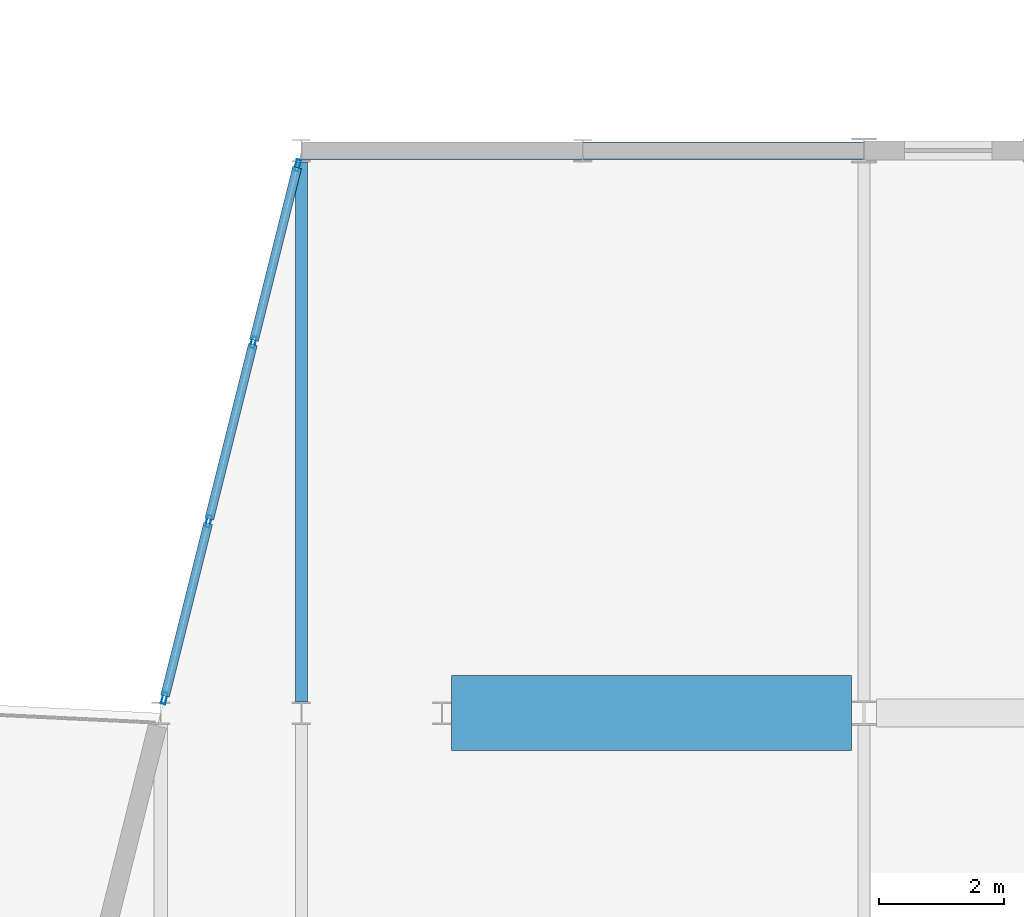
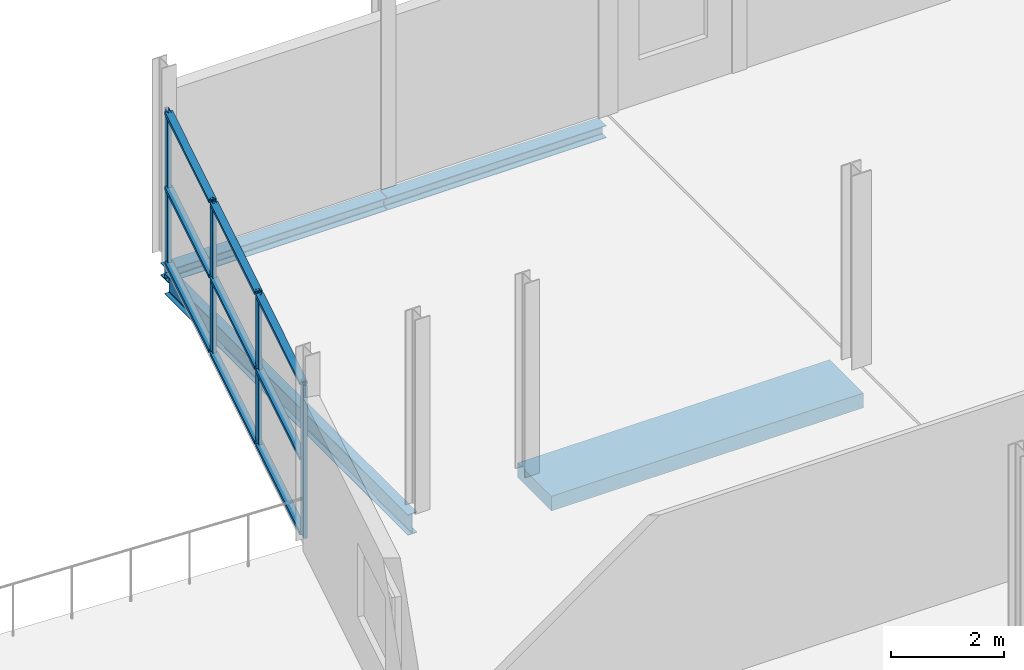
# One storey, part 97 of 135: 13 members, 4 beams, 1 element without a shape of its own.
"""IFC4 building model written with IfcOpenShell, lengths in metres."""

from ifc_helpers import new_model, si_unit, direction, frame, origin, origin_2d, place, context, subcontext, project, spatial, rectangle, hollow_rectangle, i_section, extrude, material, layer, layer_set, material_profile, profile_set, type_object, element, aggregate, save


model = new_model("IFC4")

# Units and contexts
model_context = context("Model", 3, precision=1e-05, world=origin(), true_north=direction((0.0, 1.0)))
body_context = subcontext(model_context, "Body", "Model", "MODEL_VIEW")
ifc_project = project(units=[si_unit("LENGTHUNIT", "METRE"), si_unit("AREAUNIT", "SQUARE_METRE"), si_unit("VOLUMEUNIT", "CUBIC_METRE"), si_unit("PLANEANGLEUNIT", "RADIAN"), si_unit("MASSUNIT", "GRAM", prefix="KILO")], contexts=[model_context])

# Site, building, storey
site_placement = place(None, origin())
site = spatial("IfcSite", under=ifc_project, at=site_placement, CompositionType="ELEMENT")
building_placement = place(site_placement, origin())
building = spatial("IfcBuilding", under=site, at=building_placement, Name="Deido Ridge Mobility Hub", CompositionType="ELEMENT")
storey_placement = place(building_placement, frame((0.0, 0.0, 4.199951171875)))
storey = spatial("IfcBuildingStorey", under=building, at=storey_placement, Name="L01", CompositionType="ELEMENT", Elevation=4.199951171875)

# Beams
ifc_material_1 = material(Name="Steel S355J2 EN 10025-2", Category="steel")
ifc_material_profile_1 = material_profile(ifc_material_1, i_section(OverallWidth=0.18994140625, OverallDepth=0.449951171875, WebThickness=0.009521484375, FlangeThickness=0.0146484375, FilletRadius=0.02099609375, at=origin_2d()), Name="IPE 450")
ifc_profile_set_1 = profile_set([ifc_material_profile_1], Name="Steel S355J2 EN 10025-2")
beam_type_1 = type_object("IfcBeamType", Name="BM-IPE450", PredefinedType="BEAM", material=ifc_profile_set_1)
beam_1_placement = place(storey_placement, frame((135.0, 63.179931640625, -0.474853515625), z_axis=(0.0, 1.0, 0.0), x_axis=(-1.0, 0.0, 0.0)))
element("IfcBeam", 1, at=beam_1_placement, inside=storey, type_object=beam_type_1, Name="Floor beam B4", PredefinedType="BEAM", context=body_context, shape_type="SweptSolid", body=[
    extrude(i_section(OverallWidth=0.18994140625, OverallDepth=0.449951171875, WebThickness=0.009521484375, FlangeThickness=0.0146484375, FilletRadius=0.02099609375, at=origin_2d()), origin(), (0.0, 0.0, 1.0), 8.64013671875),
])
ifc_material_2 = material(Name="Precast concrete C40/50", Category="concrete")
ifc_material_profile_2 = material_profile(ifc_material_2, rectangle(XDim=1.199951171875, YDim=0.320068359375, at=origin_2d()), Name="RC HC 1200x320")
ifc_profile_set_2 = profile_set([ifc_material_profile_2], Name="Precast concrete C40/50")
beam_type_2 = type_object("IfcBeamType", Name="HC-1200X320", PredefinedType="HOLLOWCORE", material=ifc_profile_set_2)
beam_2_placement = place(storey_placement, frame((137.39990234375, 63.0, -0.409912109375), z_axis=(1.0, 0.0, 0.0), x_axis=(0.0, 1.0, 0.0)))
element("IfcBeam", 2, at=beam_2_placement, inside=storey, type_object=beam_type_2, Name="Precast hollowcore beam HC1", PredefinedType="HOLLOWCORE", context=body_context, shape_type="SweptSolid", body=[
    extrude(rectangle(XDim=1.199951171875, YDim=0.320068359375, at=origin_2d()), origin(), (0.0, 0.0, 1.0), 6.400634765625),
])

# Curtain wall, members
ifc_material_3 = material(Name="Anodised aluminium EN AW-6063 T6", Category="aluminium")
ifc_layer = layer(ifc_material_3, 0.239990234375, Name="Anodised aluminium EN AW-6063 T6")
ifc_layer_set = layer_set([ifc_layer], Name="Anodised aluminium EN AW-6063 T6")
curtain_wall_type = type_object("IfcCurtainWallType", Name="CW-UF-6", PredefinedType="USERDEFINED", material=ifc_layer_set)
curtain_wall_placement = place(storey_placement, origin())
curtain_wall = element("IfcCurtainWall", 3, at=curtain_wall_placement, inside=storey, type_object=curtain_wall_type, Name="Unitised curtain wall CW6", ObjectType="UNITISED FACADE", PredefinedType="USERDEFINED")
ifc_material_profile_3 = material_profile(ifc_material_3, hollow_rectangle(XDim=0.070068359375, YDim=0.18994140625, WallThickness=0.00390625, at=origin_2d()), Name="RHS 70x190x4")
ifc_profile_set_3 = profile_set([ifc_material_profile_3], Name="Anodised aluminium EN AW-6063 T6")
member_type_1 = type_object("IfcMemberType", Name="MEM-MUL-70X190", PredefinedType="MULLION", material=ifc_profile_set_3)
member_1_placement = place(storey_placement, frame((132.8095703125, 63.23876953125, 0.0), z_axis=(0.0, 0.0, 1.0), x_axis=(-0.970143828731, 0.242530310632, 0.0)))
member_1 = element("IfcMember", 4, at=member_1_placement, type_object=member_type_1, Name="CW6 mullion 1", PredefinedType="MULLION", context=body_context, shape_type="SweptSolid", body=[
    extrude(hollow_rectangle(XDim=0.070068359375, YDim=0.18994140625, WallThickness=0.00390625, at=origin_2d()), origin(), (0.0, 0.0, 1.0), 3.320068359375),
])
member_2_placement = place(storey_placement, frame((133.51708984375, 66.068115234375, 0.0), z_axis=(0.0, 0.0, 1.0), x_axis=(-0.970143828731, 0.242530310632, 0.0)))
member_2 = element("IfcMember", 5, at=member_2_placement, type_object=member_type_1, Name="CW6 mullion 2", PredefinedType="MULLION", context=body_context, shape_type="SweptSolid", body=[
    extrude(hollow_rectangle(XDim=0.070068359375, YDim=0.18994140625, WallThickness=0.00390625, at=origin_2d()), origin(), (0.0, 0.0, 1.0), 3.320068359375),
])
member_3_placement = place(storey_placement, frame((134.23291015625, 68.931884765625, 0.0), z_axis=(0.0, 0.0, 1.0), x_axis=(-0.970143828731, 0.242530310632, 0.0)))
member_3 = element("IfcMember", 6, at=member_3_placement, type_object=member_type_1, Name="CW6 mullion 3", PredefinedType="MULLION", context=body_context, shape_type="SweptSolid", body=[
    extrude(hollow_rectangle(XDim=0.070068359375, YDim=0.18994140625, WallThickness=0.00390625, at=origin_2d()), origin(), (0.0, 0.0, 1.0), 3.320068359375),
])
member_4_placement = place(storey_placement, frame((134.9404296875, 71.76123046875, 0.0), z_axis=(0.0, 0.0, 1.0), x_axis=(-0.970143828731, 0.242530310632, 0.0)))
member_4 = element("IfcMember", 7, at=member_4_placement, type_object=member_type_1, Name="CW6 mullion 4", PredefinedType="MULLION", context=body_context, shape_type="SweptSolid", body=[
    extrude(hollow_rectangle(XDim=0.070068359375, YDim=0.18994140625, WallThickness=0.00390625, at=origin_2d()), origin(), (0.0, 0.0, 1.0), 3.320068359375),
])
ifc_material_profile_4 = material_profile(ifc_material_3, hollow_rectangle(XDim=0.14501953125, YDim=0.070068359375, WallThickness=0.00390625, at=origin_2d()), Name="RHS 145x70x4")
ifc_profile_set_4 = profile_set([ifc_material_profile_4], Name="Anodised aluminium EN AW-6063 T6")
member_type_2 = type_object("IfcMemberType", Name="MEM-TRN-145X70", PredefinedType="USERDEFINED", material=ifc_profile_set_4)
member_5_placement = place(storey_placement, frame((132.818115234375, 63.272705078125, 0.03515625), z_axis=(0.242555806014, 0.970137454678, 0.0), x_axis=(-0.970137454678, 0.242555806014, 0.0)))
member_5 = element("IfcMember", 8, at=member_5_placement, type_object=member_type_2, Name="CW6 transom 1.1", ObjectType="TRANSOM", PredefinedType="USERDEFINED", context=body_context, shape_type="SweptSolid", body=[
    extrude(hollow_rectangle(XDim=0.14501953125, YDim=0.070068359375, WallThickness=0.00390625, at=origin_2d()), origin(), (0.0, 0.0, 1.0), 2.846435546875),
])
member_6_placement = place(storey_placement, frame((132.818115234375, 63.272705078125, 1.66015625), z_axis=(0.242555806014, 0.970137454678, 0.0), x_axis=(-0.970137454678, 0.242555806014, 0.0)))
member_6 = element("IfcMember", 9, at=member_6_placement, type_object=member_type_2, Name="CW6 transom 1.2", ObjectType="TRANSOM", PredefinedType="USERDEFINED", context=body_context, shape_type="SweptSolid", body=[
    extrude(hollow_rectangle(XDim=0.14501953125, YDim=0.070068359375, WallThickness=0.00390625, at=origin_2d()), origin(), (0.0, 0.0, 1.0), 2.846435546875),
])
member_7_placement = place(storey_placement, frame((132.818115234375, 63.272705078125, 3.28515625), z_axis=(0.242555806014, 0.970137454678, 0.0), x_axis=(-0.970137454678, 0.242555806014, 0.0)))
member_7 = element("IfcMember", 10, at=member_7_placement, type_object=member_type_2, Name="CW6 transom 1.3", ObjectType="TRANSOM", PredefinedType="USERDEFINED", context=body_context, shape_type="SweptSolid", body=[
    extrude(hollow_rectangle(XDim=0.14501953125, YDim=0.070068359375, WallThickness=0.00390625, at=origin_2d()), origin(), (0.0, 0.0, 1.0), 2.846435546875),
])
member_8_placement = place(storey_placement, frame((133.525634765625, 66.102294921875, 0.03515625), z_axis=(0.242495752138, 0.970152467499, 0.0), x_axis=(-0.970152467499, 0.242495752138, 0.0)))
member_8 = element("IfcMember", 11, at=member_8_placement, type_object=member_type_2, Name="CW6 transom 2.1", ObjectType="TRANSOM", PredefinedType="USERDEFINED", context=body_context, shape_type="SweptSolid", body=[
    extrude(hollow_rectangle(XDim=0.14501953125, YDim=0.070068359375, WallThickness=0.00390625, at=origin_2d()), origin(), (0.0, 0.0, 1.0), 2.88134765625),
])
member_9_placement = place(storey_placement, frame((133.525634765625, 66.102294921875, 1.66015625), z_axis=(0.242495752138, 0.970152467499, 0.0), x_axis=(-0.970152467499, 0.242495752138, 0.0)))
member_9 = element("IfcMember", 12, at=member_9_placement, type_object=member_type_2, Name="CW6 transom 2.2", ObjectType="TRANSOM", PredefinedType="USERDEFINED", context=body_context, shape_type="SweptSolid", body=[
    extrude(hollow_rectangle(XDim=0.14501953125, YDim=0.070068359375, WallThickness=0.00390625, at=origin_2d()), origin(), (0.0, 0.0, 1.0), 2.88134765625),
])
member_10_placement = place(storey_placement, frame((133.525634765625, 66.102294921875, 3.28515625), z_axis=(0.242495752138, 0.970152467499, 0.0), x_axis=(-0.970152467499, 0.242495752138, 0.0)))
member_10 = element("IfcMember", 13, at=member_10_placement, type_object=member_type_2, Name="CW6 transom 2.3", ObjectType="TRANSOM", PredefinedType="USERDEFINED", context=body_context, shape_type="SweptSolid", body=[
    extrude(hollow_rectangle(XDim=0.14501953125, YDim=0.070068359375, WallThickness=0.00390625, at=origin_2d()), origin(), (0.0, 0.0, 1.0), 2.88134765625),
])
member_11_placement = place(storey_placement, frame((134.241455078125, 68.9658203125, 0.03515625), z_axis=(0.242555806014, 0.970137454678, 0.0), x_axis=(-0.970137454678, 0.242555806014, 0.0)))
member_11 = element("IfcMember", 14, at=member_11_placement, type_object=member_type_2, Name="CW6 transom 3.1", ObjectType="TRANSOM", PredefinedType="USERDEFINED", context=body_context, shape_type="SweptSolid", body=[
    extrude(hollow_rectangle(XDim=0.14501953125, YDim=0.070068359375, WallThickness=0.00390625, at=origin_2d()), origin(), (0.0, 0.0, 1.0), 2.846435546875),
])
member_12_placement = place(storey_placement, frame((134.241455078125, 68.9658203125, 1.66015625), z_axis=(0.242555806014, 0.970137454678, 0.0), x_axis=(-0.970137454678, 0.242555806014, 0.0)))
member_12 = element("IfcMember", 15, at=member_12_placement, type_object=member_type_2, Name="CW6 transom 3.2", ObjectType="TRANSOM", PredefinedType="USERDEFINED", context=body_context, shape_type="SweptSolid", body=[
    extrude(hollow_rectangle(XDim=0.14501953125, YDim=0.070068359375, WallThickness=0.00390625, at=origin_2d()), origin(), (0.0, 0.0, 1.0), 2.846435546875),
])
member_13_placement = place(storey_placement, frame((134.241455078125, 68.9658203125, 3.28515625), z_axis=(0.242555806014, 0.970137454678, 0.0), x_axis=(-0.970137454678, 0.242555806014, 0.0)))
member_13 = element("IfcMember", 16, at=member_13_placement, type_object=member_type_2, Name="CW6 transom 3.3", ObjectType="TRANSOM", PredefinedType="USERDEFINED", context=body_context, shape_type="SweptSolid", body=[
    extrude(hollow_rectangle(XDim=0.14501953125, YDim=0.070068359375, WallThickness=0.00390625, at=origin_2d()), origin(), (0.0, 0.0, 1.0), 2.846435546875),
])
aggregate(curtain_wall, [member_1, member_2, member_3, member_4, member_5, member_6, member_7, member_8, member_9, member_10, member_11, member_12, member_13])

# Beams
ifc_material_profile_5 = material_profile(ifc_material_1, i_section(OverallWidth=0.280029296875, OverallDepth=0.27001953125, WebThickness=0.008056640625, FlangeThickness=0.012939453125, FilletRadius=0.02392578125, at=origin_2d()), Name="HEA 280")
ifc_profile_set_5 = profile_set([ifc_material_profile_5], Name="Steel S355J2 EN 10025-2")
beam_type_3 = type_object("IfcBeamType", Name="SPD-HEA280", PredefinedType="SPANDREL", material=ifc_profile_set_5)
beam_3_placement = place(storey_placement, frame((135.006103515625, 72.0, -0.385009765625), z_axis=(1.0, 0.0, 0.0), x_axis=(0.0, 1.0, 0.0)))
element("IfcBeam", 17, at=beam_3_placement, inside=storey, type_object=beam_type_3, Name="Floor beam SP2", PredefinedType="SPANDREL", context=body_context, shape_type="SweptSolid", body=[
    extrude(i_section(OverallWidth=0.280029296875, OverallDepth=0.27001953125, WebThickness=0.008056640625, FlangeThickness=0.012939453125, FilletRadius=0.02392578125, at=origin_2d()), origin(), (0.0, 0.0, 1.0), 4.48779296875),
])
beam_4_placement = place(storey_placement, frame((139.506103515625, 72.0, -0.385009765625), z_axis=(1.0, 0.0, 0.0), x_axis=(0.0, 1.0, 0.0)))
element("IfcBeam", 18, at=beam_4_placement, inside=storey, type_object=beam_type_3, Name="Floor beam SP2", PredefinedType="SPANDREL", context=body_context, shape_type="SweptSolid", body=[
    extrude(i_section(OverallWidth=0.280029296875, OverallDepth=0.27001953125, WebThickness=0.008056640625, FlangeThickness=0.012939453125, FilletRadius=0.02392578125, at=origin_2d()), origin(), (0.0, 0.0, 1.0), 4.485107421875),
])

save(model, "model.ifc")
